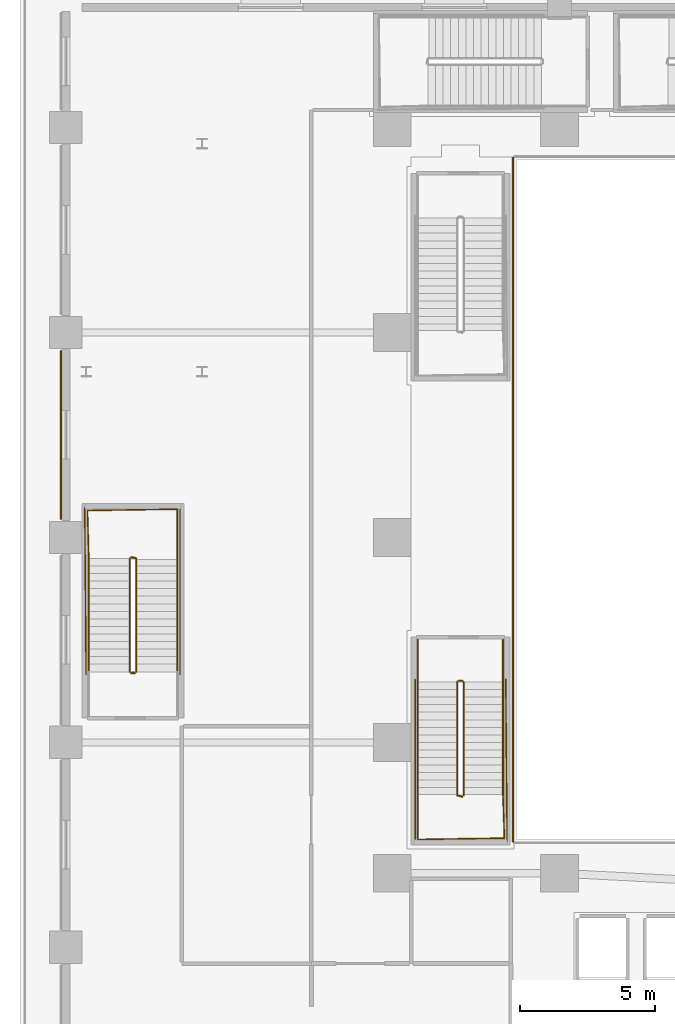
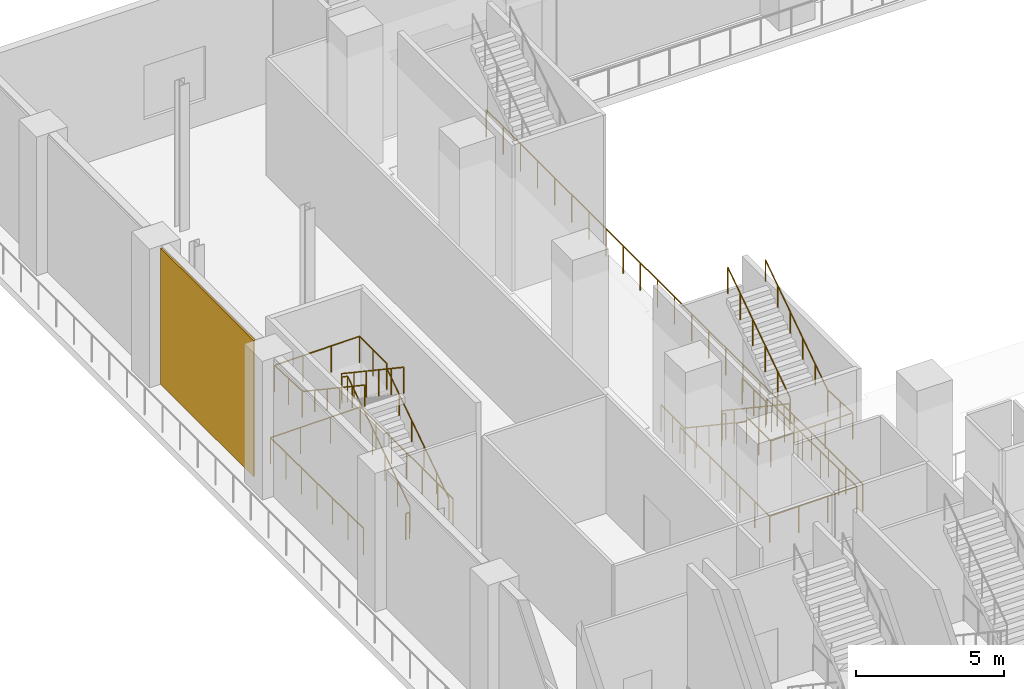
# One storey, part 18 of 29: 17 railings, 1 covering.
"""IFC4 building model written with IfcOpenShell, lengths in metres."""

from ifc_helpers import new_model, si_unit, direction, frame, origin, origin_2d, place, context, subcontext, project, spatial, rectangle, circle, extrude, material, layer, layer_set, type_object, element, save


model = new_model("IFC4")

# Units and contexts
model_context = context("Model", 3, precision=1e-05, world=origin(), true_north=direction((0.0, 1.0)))
body_context = subcontext(model_context, "Body", "Model", "MODEL_VIEW")
ifc_project = project(units=[si_unit("LENGTHUNIT", "METRE"), si_unit("AREAUNIT", "SQUARE_METRE"), si_unit("VOLUMEUNIT", "CUBIC_METRE"), si_unit("PLANEANGLEUNIT", "RADIAN"), si_unit("MASSUNIT", "GRAM", prefix="KILO")], contexts=[model_context])

# Site, building, storey
site_placement = place(None, origin())
site = spatial("IfcSite", under=ifc_project, at=site_placement, CompositionType="ELEMENT")
building_placement = place(site_placement, origin())
building = spatial("IfcBuilding", under=site, at=building_placement, Name="Ndaravel Arena Tower", CompositionType="ELEMENT")
storey_placement = place(building_placement, frame((0.0, 0.0, 12.0)))
storey = spatial("IfcBuildingStorey", under=building, at=storey_placement, Name="L02", CompositionType="ELEMENT", Elevation=12.0)

# Covering
ifc_material_1 = material(Name="Masonry", Category="masonry")
ifc_layer_1 = layer(ifc_material_1, 0.06005859375)
ifc_layer_set_1 = layer_set([ifc_layer_1], Name="Masonry")
covering_type = type_object("IfcCoveringType", Name="COV-STONE-CLAD", PredefinedType="CLADDING", material=ifc_layer_set_1)
covering_placement = place(storey_placement, frame((1.52001953125, 31.60009765625, 0.050048828125), z_axis=(0.0, 0.0, 1.0), x_axis=(1.0, 0.0, 0.0)))
element("IfcCovering", 1, at=covering_placement, inside=storey, type_object=covering_type, Name="L02 Honed Mazeras Ashlar Panel W5", PredefinedType="CLADDING", context=body_context, shape_type="SweptSolid", body=[
    extrude(rectangle(XDim=0.06005859375, YDim=6.260009765625, at=origin_2d()), origin(), (0.0, 0.0, 1.0), 5.60009765625),
])

# Railings
ifc_material_2 = material(Name="Steel S355", Category="steel")
ifc_layer_2 = layer(ifc_material_2, 0.06005859375)
ifc_layer_set_2 = layer_set([ifc_layer_2], Name="Steel S355")
railing_type_1 = type_object("IfcRailingType", Name="RAIL-STAIR-GD1100", PredefinedType="GUARDRAIL", material=ifc_layer_set_2)
railing_1_placement = place(storey_placement, frame((4.31005859375, 22.820068359375, 0.1875)))
element("IfcRailing", 2, at=railing_1_placement, inside=storey, type_object=railing_type_1, Name="L02 ST-A07 stair guard 1", PredefinedType="GUARDRAIL", context=body_context, shape_type="SweptSolid", body=[
    extrude(circle(Radius=0.02392578125, at=origin_2d()), frame((0.0, 0.0, 1.076171875), z_axis=(0.0, 0.830904186295, 0.556415522067), x_axis=(-1.0, 0.0, 0.0)), (0.0, 0.0, 1.0), 5.0546875),
    extrude(circle(Radius=0.02392578125, at=origin_2d()), frame((0.0, 4.199951171875, 3.888671875), z_axis=(-0.966993988697, 0.254799187253, 0.0), x_axis=(-0.254799187253, -0.966993988697, 0.0)), (0.0, 0.0, 1.0), 0.196533203125),
    extrude(circle(Radius=0.02099609375, at=origin_2d()), origin(), (0.0, 0.0, 1.0), 1.052001953125),
    extrude(circle(Radius=0.02099609375, at=origin_2d()), frame((0.0, 0.840087890625, 0.5625)), (0.0, 0.0, 1.0), 1.052001953125),
    extrude(circle(Radius=0.02099609375, at=origin_2d()), frame((0.0, 1.679931640625, 1.125)), (0.0, 0.0, 1.0), 1.052001953125),
    extrude(circle(Radius=0.02099609375, at=origin_2d()), frame((0.0, 2.52001953125, 1.6875)), (0.0, 0.0, 1.0), 1.052001953125),
    extrude(circle(Radius=0.02099609375, at=origin_2d()), frame((0.0, 3.35986328125, 2.25)), (0.0, 0.0, 1.0), 1.052001953125),
    extrude(circle(Radius=0.02099609375, at=origin_2d()), frame((0.0, 4.199951171875, 2.8125)), (0.0, 0.0, 1.0), 1.052001953125),
    extrude(circle(Radius=0.02099609375, at=origin_2d()), frame((-0.18994140625, 4.25, 2.8125)), (0.0, 0.0, 1.0), 1.052001953125),
])
railing_2_placement = place(storey_placement, frame((5.830078125, 27.02001953125, 3.0)))
element("IfcRailing", 3, at=railing_2_placement, inside=storey, type_object=railing_type_1, Name="L02 ST-A07 stair guard 2", PredefinedType="GUARDRAIL", context=body_context, shape_type="SweptSolid", body=[
    extrude(circle(Radius=0.02392578125, at=origin_2d()), frame((0.0, 0.0, 1.076171875), z_axis=(0.0, 1.0, 0.0), x_axis=(-1.0, 0.0, 0.0)), (0.0, 0.0, 1.0), 1.830078125),
    extrude(circle(Radius=0.02392578125, at=origin_2d()), frame((0.0, 1.830078125, 1.076171875), z_axis=(-0.999887078817, -0.015027628384, 0.0), x_axis=(0.015027628384, -0.999887078817, 0.0)), (0.0, 0.0, 1.0), 3.33056640625),
    extrude(circle(Radius=0.02392578125, at=origin_2d()), frame((-3.330078125, 1.780029296875, 1.076171875), z_axis=(0.028105748986, -0.999604955407, 0.0), x_axis=(0.999604955407, 0.028105748986, 0.0)), (0.0, 0.0, 1.0), 1.78076171875),
    extrude(circle(Radius=0.02099609375, at=origin_2d()), origin(), (0.0, 0.0, 1.0), 1.052001953125),
    extrude(circle(Radius=0.02099609375, at=origin_2d()), frame((0.0, 0.9150390625, 0.0)), (0.0, 0.0, 1.0), 1.052001953125),
    extrude(circle(Radius=0.02099609375, at=origin_2d()), frame((0.0, 1.830078125, 0.0)), (0.0, 0.0, 1.0), 1.052001953125),
    extrude(circle(Radius=0.02099609375, at=origin_2d()), frame((-1.110107421875, 1.8134765625, 0.0)), (0.0, 0.0, 1.0), 1.052001953125),
    extrude(circle(Radius=0.02099609375, at=origin_2d()), frame((-2.219970703125, 1.796630859375, 0.0)), (0.0, 0.0, 1.0), 1.052001953125),
    extrude(circle(Radius=0.02099609375, at=origin_2d()), frame((-3.330078125, 1.780029296875, 0.0)), (0.0, 0.0, 1.0), 1.052001953125),
    extrude(circle(Radius=0.02099609375, at=origin_2d()), frame((-3.30517578125, 0.89013671875, 0.0)), (0.0, 0.0, 1.0), 1.052001953125),
    extrude(circle(Radius=0.02099609375, at=origin_2d()), frame((-3.280029296875, 0.0, 0.0)), (0.0, 0.0, 1.0), 1.052001953125),
])
railing_3_placement = place(storey_placement, frame((4.070068359375, 27.02001953125, 3.1875)))
element("IfcRailing", 4, at=railing_3_placement, inside=storey, type_object=railing_type_1, Name="L02 ST-A07 stair guard 3", PredefinedType="GUARDRAIL", context=body_context, shape_type="SweptSolid", body=[
    extrude(circle(Radius=0.02392578125, at=origin_2d()), frame((0.0, 0.0, 1.076171875), z_axis=(0.0, -0.830904186295, 0.556415522067), x_axis=(1.0, 0.0, 0.0)), (0.0, 0.0, 1.0), 5.0546875),
    extrude(circle(Radius=0.02099609375, at=origin_2d()), origin(), (0.0, 0.0, 1.0), 1.052001953125),
    extrude(circle(Radius=0.02099609375, at=origin_2d()), frame((0.0, -0.840087890625, 0.5625)), (0.0, 0.0, 1.0), 1.052001953125),
    extrude(circle(Radius=0.02099609375, at=origin_2d()), frame((0.0, -1.679931640625, 1.125)), (0.0, 0.0, 1.0), 1.052001953125),
    extrude(circle(Radius=0.02099609375, at=origin_2d()), frame((0.0, -2.52001953125, 1.6875)), (0.0, 0.0, 1.0), 1.052001953125),
    extrude(circle(Radius=0.02099609375, at=origin_2d()), frame((0.0, -3.35986328125, 2.25)), (0.0, 0.0, 1.0), 1.052001953125),
    extrude(circle(Radius=0.02099609375, at=origin_2d()), frame((0.0, -4.199951171875, 2.8125)), (0.0, 0.0, 1.0), 1.052001953125),
])
railing_4_placement = place(storey_placement, frame((4.260009765625, 22.77001953125, 0.0)))
element("IfcRailing", 5, at=railing_4_placement, inside=storey, type_object=railing_type_1, Name="L02 ST-A07 stair guard 4", PredefinedType="GUARDRAIL", context=body_context, shape_type="SweptSolid", body=[
    extrude(circle(Radius=0.02392578125, at=origin_2d()), frame((0.0, 0.0, 1.076171875), z_axis=(-1.0, 0.0, 0.0), x_axis=(0.0, -1.0, 0.0)), (0.0, 0.0, 1.0), 0.139892578125),
    extrude(circle(Radius=0.02099609375, at=origin_2d()), origin(), (0.0, 0.0, 1.0), 1.052001953125),
    extrude(circle(Radius=0.02099609375, at=origin_2d()), frame((-0.139892578125, 0.0, 0.0)), (0.0, 0.0, 1.0), 1.052001953125),
])
railing_5_placement = place(storey_placement, frame((5.929931640625, 22.719970703125, 0.0)))
element("IfcRailing", 6, at=railing_5_placement, inside=storey, type_object=railing_type_1, Name="L02 ST-A07 stair guard 7", PredefinedType="GUARDRAIL", context=body_context, shape_type="SweptSolid", body=[
    extrude(circle(Radius=0.02392578125, at=origin_2d()), frame((0.0, 0.0, 1.076171875), z_axis=(0.0, 1.0, 0.0), x_axis=(-1.0, 0.0, 0.0)), (0.0, 0.0, 1.0), 6.22998046875),
    extrude(circle(Radius=0.02392578125, at=origin_2d()), frame((0.0, 6.22998046875, 1.076171875), z_axis=(-0.999899507016, -0.014176595818, 0.0), x_axis=(0.014176595818, -0.999899507016, 0.0)), (0.0, 0.0, 1.0), 3.5302734375),
    extrude(circle(Radius=0.02392578125, at=origin_2d()), frame((-3.530029296875, 6.179931640625, 1.076171875), z_axis=(0.008098339889, -0.999967207908, 0.0), x_axis=(0.999967207908, 0.008098339889, 0.0)), (0.0, 0.0, 1.0), 6.18017578125),
    extrude(circle(Radius=0.02099609375, at=origin_2d()), origin(), (0.0, 0.0, 1.0), 1.052001953125),
    extrude(circle(Radius=0.02099609375, at=origin_2d()), frame((0.0, 1.038330078125, 0.0)), (0.0, 0.0, 1.0), 1.052001953125),
    extrude(circle(Radius=0.02099609375, at=origin_2d()), frame((0.0, 2.07666015625, 0.0)), (0.0, 0.0, 1.0), 1.052001953125),
    extrude(circle(Radius=0.02099609375, at=origin_2d()), frame((0.0, 3.114990234375, 0.0)), (0.0, 0.0, 1.0), 1.052001953125),
    extrude(circle(Radius=0.02099609375, at=origin_2d()), frame((0.0, 4.1533203125, 0.0)), (0.0, 0.0, 1.0), 1.052001953125),
    extrude(circle(Radius=0.02099609375, at=origin_2d()), frame((0.0, 5.191650390625, 0.0)), (0.0, 0.0, 1.0), 1.052001953125),
    extrude(circle(Radius=0.02099609375, at=origin_2d()), frame((0.0, 6.22998046875, 0.0)), (0.0, 0.0, 1.0), 1.052001953125),
    extrude(circle(Radius=0.02099609375, at=origin_2d()), frame((-1.1767578125, 6.21337890625, 0.0)), (0.0, 0.0, 1.0), 1.052001953125),
    extrude(circle(Radius=0.02099609375, at=origin_2d()), frame((-2.353271484375, 6.196533203125, 0.0)), (0.0, 0.0, 1.0), 1.052001953125),
    extrude(circle(Radius=0.02099609375, at=origin_2d()), frame((-3.530029296875, 6.179931640625, 0.0)), (0.0, 0.0, 1.0), 1.052001953125),
    extrude(circle(Radius=0.02099609375, at=origin_2d()), frame((-3.521728515625, 5.14990234375, 0.0)), (0.0, 0.0, 1.0), 1.052001953125),
    extrude(circle(Radius=0.02099609375, at=origin_2d()), frame((-3.513427734375, 4.119873046875, 0.0)), (0.0, 0.0, 1.0), 1.052001953125),
    extrude(circle(Radius=0.02099609375, at=origin_2d()), frame((-3.5048828125, 3.08984375, 0.0)), (0.0, 0.0, 1.0), 1.052001953125),
    extrude(circle(Radius=0.02099609375, at=origin_2d()), frame((-3.49658203125, 2.06005859375, 0.0)), (0.0, 0.0, 1.0), 1.052001953125),
    extrude(circle(Radius=0.02099609375, at=origin_2d()), frame((-3.48828125, 1.030029296875, 0.0)), (0.0, 0.0, 1.0), 1.052001953125),
    extrude(circle(Radius=0.02099609375, at=origin_2d()), frame((-3.47998046875, 0.0, 0.0)), (0.0, 0.0, 1.0), 1.052001953125),
])
railing_6_placement = place(storey_placement, frame((16.2099609375, 22.43994140625, 0.1875)))
element("IfcRailing", 7, at=railing_6_placement, inside=storey, type_object=railing_type_1, Name="L02 ST-VOM-1 stair guard 1", PredefinedType="GUARDRAIL", context=body_context, shape_type="SweptSolid", body=[
    extrude(circle(Radius=0.02392578125, at=origin_2d()), frame((0.0, 0.0, 1.076171875), z_axis=(0.0, -0.830904186295, 0.556415522067), x_axis=(1.0, 0.0, 0.0)), (0.0, 0.0, 1.0), 5.0546875),
    extrude(circle(Radius=0.02392578125, at=origin_2d()), frame((0.0, -4.199951171875, 3.888671875), z_axis=(0.966993988697, -0.254799187253, 0.0), x_axis=(0.254799187253, 0.966993988697, 0.0)), (0.0, 0.0, 1.0), 0.196533203125),
    extrude(circle(Radius=0.02099609375, at=origin_2d()), origin(), (0.0, 0.0, 1.0), 1.052001953125),
    extrude(circle(Radius=0.02099609375, at=origin_2d()), frame((0.0, -0.840087890625, 0.5625)), (0.0, 0.0, 1.0), 1.052001953125),
    extrude(circle(Radius=0.02099609375, at=origin_2d()), frame((0.0, -1.679931640625, 1.125)), (0.0, 0.0, 1.0), 1.052001953125),
    extrude(circle(Radius=0.02099609375, at=origin_2d()), frame((0.0, -2.52001953125, 1.6875)), (0.0, 0.0, 1.0), 1.052001953125),
    extrude(circle(Radius=0.02099609375, at=origin_2d()), frame((0.0, -3.35986328125, 2.25)), (0.0, 0.0, 1.0), 1.052001953125),
    extrude(circle(Radius=0.02099609375, at=origin_2d()), frame((0.0, -4.199951171875, 2.8125)), (0.0, 0.0, 1.0), 1.052001953125),
    extrude(circle(Radius=0.02099609375, at=origin_2d()), frame((0.18994140625, -4.25, 2.8125)), (0.0, 0.0, 1.0), 1.052001953125),
])
railing_7_placement = place(storey_placement, frame((14.75, 18.239990234375, 3.0)))
element("IfcRailing", 8, at=railing_7_placement, inside=storey, type_object=railing_type_1, Name="L02 ST-VOM-1 stair guard 2", PredefinedType="GUARDRAIL", context=body_context, shape_type="SweptSolid", body=[
    extrude(circle(Radius=0.02392578125, at=origin_2d()), frame((0.0, 0.0, 1.076171875), z_axis=(0.0, -1.0, 0.0), x_axis=(1.0, 0.0, 0.0)), (0.0, 0.0, 1.0), 1.639892578125),
    extrude(circle(Radius=0.02392578125, at=origin_2d()), frame((0.0, -1.639892578125, 1.076171875), z_axis=(0.999879653755, 0.01551380053, 0.0), x_axis=(-0.01551380053, 0.999879653755, 0.0)), (0.0, 0.0, 1.0), 3.21044921875),
    extrude(circle(Radius=0.02392578125, at=origin_2d()), frame((3.2099609375, -1.590087890625, 1.076171875), z_axis=(-0.031459930577, 0.999505013878, 0.0), x_axis=(-0.999505013878, -0.031459930577, 0.0)), (0.0, 0.0, 1.0), 1.5908203125),
    extrude(circle(Radius=0.02099609375, at=origin_2d()), origin(), (0.0, 0.0, 1.0), 1.052001953125),
    extrude(circle(Radius=0.02099609375, at=origin_2d()), frame((0.0, -0.81982421875, 0.0)), (0.0, 0.0, 1.0), 1.052001953125),
    extrude(circle(Radius=0.02099609375, at=origin_2d()), frame((0.0, -1.639892578125, 0.0)), (0.0, 0.0, 1.0), 1.052001953125),
    extrude(circle(Radius=0.02099609375, at=origin_2d()), frame((1.070068359375, -1.623291015625, 0.0)), (0.0, 0.0, 1.0), 1.052001953125),
    extrude(circle(Radius=0.02099609375, at=origin_2d()), frame((2.139892578125, -1.606689453125, 0.0)), (0.0, 0.0, 1.0), 1.052001953125),
    extrude(circle(Radius=0.02099609375, at=origin_2d()), frame((3.2099609375, -1.590087890625, 0.0)), (0.0, 0.0, 1.0), 1.052001953125),
    extrude(circle(Radius=0.02099609375, at=origin_2d()), frame((3.18505859375, -0.794921875, 0.0)), (0.0, 0.0, 1.0), 1.052001953125),
    extrude(circle(Radius=0.02099609375, at=origin_2d()), frame((3.159912109375, 0.0, 0.0)), (0.0, 0.0, 1.0), 1.052001953125),
])
railing_8_placement = place(storey_placement, frame((16.449951171875, 18.239990234375, 3.1875)))
element("IfcRailing", 9, at=railing_8_placement, inside=storey, type_object=railing_type_1, Name="L02 ST-VOM-1 stair guard 3", PredefinedType="GUARDRAIL", context=body_context, shape_type="SweptSolid", body=[
    extrude(circle(Radius=0.02392578125, at=origin_2d()), frame((0.0, 0.0, 1.076171875), z_axis=(0.0, 0.830904186295, 0.556415522067), x_axis=(-1.0, 0.0, 0.0)), (0.0, 0.0, 1.0), 5.0546875),
    extrude(circle(Radius=0.02099609375, at=origin_2d()), origin(), (0.0, 0.0, 1.0), 1.052001953125),
    extrude(circle(Radius=0.02099609375, at=origin_2d()), frame((0.0, 0.840087890625, 0.5625)), (0.0, 0.0, 1.0), 1.052001953125),
    extrude(circle(Radius=0.02099609375, at=origin_2d()), frame((0.0, 1.679931640625, 1.125)), (0.0, 0.0, 1.0), 1.052001953125),
    extrude(circle(Radius=0.02099609375, at=origin_2d()), frame((0.0, 2.52001953125, 1.6875)), (0.0, 0.0, 1.0), 1.052001953125),
    extrude(circle(Radius=0.02099609375, at=origin_2d()), frame((0.0, 3.35986328125, 2.25)), (0.0, 0.0, 1.0), 1.052001953125),
    extrude(circle(Radius=0.02099609375, at=origin_2d()), frame((0.0, 4.199951171875, 2.8125)), (0.0, 0.0, 1.0), 1.052001953125),
])
railing_9_placement = place(storey_placement, frame((16.260009765625, 22.489990234375, 0.0)))
element("IfcRailing", 10, at=railing_9_placement, inside=storey, type_object=railing_type_1, Name="L02 ST-VOM-1 stair guard 4", PredefinedType="GUARDRAIL", context=body_context, shape_type="SweptSolid", body=[
    extrude(circle(Radius=0.02392578125, at=origin_2d()), frame((0.0, 0.0, 1.076171875), z_axis=(1.0, 0.0, 0.0), x_axis=(0.0, 1.0, 0.0)), (0.0, 0.0, 1.0), 0.139892578125),
    extrude(circle(Radius=0.02099609375, at=origin_2d()), origin(), (0.0, 0.0, 1.0), 1.052001953125),
    extrude(circle(Radius=0.02099609375, at=origin_2d()), frame((0.139892578125, 0.0, 0.0)), (0.0, 0.0, 1.0), 1.052001953125),
])
for number, where, name in (
    (11, (14.75, 24.0, 0.0), "L02 ST-VOM-1 stair guard 5"),
    (12, (17.909912109375, 24.0, 0.0), "L02 ST-VOM-1 stair guard 6"),
):
    element("IfcRailing", number, at=place(storey_placement, frame(where)), inside=storey, type_object=railing_type_1, Name=name, PredefinedType="GUARDRAIL", context=body_context, shape_type="SweptSolid", body=[
        extrude(circle(Radius=0.02392578125, at=origin_2d()), frame((0.0, 0.0, 1.076171875), z_axis=(0.0, -1.0, 0.0), x_axis=(1.0, 0.0, 0.0)), (0.0, 0.0, 1.0), 1.56005859375),
        extrude(circle(Radius=0.02099609375, at=origin_2d()), origin(), (0.0, 0.0, 1.0), 1.052001953125),
        extrude(circle(Radius=0.02099609375, at=origin_2d()), frame((0.0, -0.780029296875, 0.0)), (0.0, 0.0, 1.0), 1.052001953125),
        extrude(circle(Radius=0.02099609375, at=origin_2d()), frame((0.0, -1.56005859375, 0.0)), (0.0, 0.0, 1.0), 1.052001953125),
    ])
railing_10_placement = place(storey_placement, frame((14.64990234375, 22.5400390625, 0.0)))
element("IfcRailing", 13, at=railing_10_placement, inside=storey, type_object=railing_type_1, Name="L02 ST-VOM-1 stair guard 7", PredefinedType="GUARDRAIL", context=body_context, shape_type="SweptSolid", body=[
    extrude(circle(Radius=0.02392578125, at=origin_2d()), frame((0.0, 0.0, 1.076171875), z_axis=(0.0, -1.0, 0.0), x_axis=(1.0, 0.0, 0.0)), (0.0, 0.0, 1.0), 6.0400390625),
    extrude(circle(Radius=0.02392578125, at=origin_2d()), frame((0.0, -6.0400390625, 1.076171875), z_axis=(0.99989231899, 0.014674822837, 0.0), x_axis=(-0.014674822837, 0.99989231899, 0.0)), (0.0, 0.0, 1.0), 3.41064453125),
    extrude(circle(Radius=0.02392578125, at=origin_2d()), frame((3.41015625, -5.989990234375, 1.076171875), z_axis=(-0.008355118995, 0.999965095384, 0.0), x_axis=(-0.999965095384, -0.008355118995, 0.0)), (0.0, 0.0, 1.0), 5.990234375),
    extrude(circle(Radius=0.02099609375, at=origin_2d()), origin(), (0.0, 0.0, 1.0), 1.052001953125),
    extrude(circle(Radius=0.02099609375, at=origin_2d()), frame((0.0, -1.006591796875, 0.0)), (0.0, 0.0, 1.0), 1.052001953125),
    extrude(circle(Radius=0.02099609375, at=origin_2d()), frame((0.0, -2.013427734375, 0.0)), (0.0, 0.0, 1.0), 1.052001953125),
    extrude(circle(Radius=0.02099609375, at=origin_2d()), frame((0.0, -3.02001953125, 0.0)), (0.0, 0.0, 1.0), 1.052001953125),
    extrude(circle(Radius=0.02099609375, at=origin_2d()), frame((0.0, -4.026611328125, 0.0)), (0.0, 0.0, 1.0), 1.052001953125),
    extrude(circle(Radius=0.02099609375, at=origin_2d()), frame((0.0, -5.033447265625, 0.0)), (0.0, 0.0, 1.0), 1.052001953125),
    extrude(circle(Radius=0.02099609375, at=origin_2d()), frame((0.0, -6.0400390625, 0.0)), (0.0, 0.0, 1.0), 1.052001953125),
    extrude(circle(Radius=0.02099609375, at=origin_2d()), frame((1.13671875, -6.0234375, 0.0)), (0.0, 0.0, 1.0), 1.052001953125),
    extrude(circle(Radius=0.02099609375, at=origin_2d()), frame((2.2734375, -6.006591796875, 0.0)), (0.0, 0.0, 1.0), 1.052001953125),
    extrude(circle(Radius=0.02099609375, at=origin_2d()), frame((3.41015625, -5.989990234375, 0.0)), (0.0, 0.0, 1.0), 1.052001953125),
    extrude(circle(Radius=0.02099609375, at=origin_2d()), frame((3.400146484375, -4.7919921875, 0.0)), (0.0, 0.0, 1.0), 1.052001953125),
    extrude(circle(Radius=0.02099609375, at=origin_2d()), frame((3.39013671875, -3.593994140625, 0.0)), (0.0, 0.0, 1.0), 1.052001953125),
    extrude(circle(Radius=0.02099609375, at=origin_2d()), frame((3.380126953125, -2.39599609375, 0.0)), (0.0, 0.0, 1.0), 1.052001953125),
    extrude(circle(Radius=0.02099609375, at=origin_2d()), frame((3.3701171875, -1.197998046875, 0.0)), (0.0, 0.0, 1.0), 1.052001953125),
    extrude(circle(Radius=0.02099609375, at=origin_2d()), frame((3.360107421875, 0.0, 0.0)), (0.0, 0.0, 1.0), 1.052001953125),
])
ifc_material_3 = material(Name="Steel S355", Category="steel")
ifc_layer_3 = layer(ifc_material_3, 0.050048828125)
ifc_layer_set_3 = layer_set([ifc_layer_3], Name="Steel S355")
railing_type_2 = type_object("IfcRailingType", Name="RAIL-STAIR-HR920", PredefinedType="HANDRAIL", material=ifc_layer_set_3)
railing_11_placement = place(storey_placement, frame((5.830078125, 22.820068359375, 0.1875)))
element("IfcRailing", 14, at=railing_11_placement, inside=storey, type_object=railing_type_2, Name="L02 ST-A07 stair handrail 1", PredefinedType="HANDRAIL", context=body_context, shape_type="SweptSolid", body=[
    extrude(circle(Radius=0.02392578125, at=origin_2d()), frame((0.0, 0.0, 0.8759765625), z_axis=(0.0, 0.830904186295, 0.556415522067), x_axis=(-1.0, 0.0, 0.0)), (0.0, 0.0, 1.0), 5.0546875),
    extrude(circle(Radius=0.02099609375, at=origin_2d()), origin(), (0.0, 0.0, 1.0), 0.851806640625),
    extrude(circle(Radius=0.02099609375, at=origin_2d()), frame((0.0, 0.840087890625, 0.5625)), (0.0, 0.0, 1.0), 0.851806640625),
    extrude(circle(Radius=0.02099609375, at=origin_2d()), frame((0.0, 1.679931640625, 1.125)), (0.0, 0.0, 1.0), 0.851806640625),
    extrude(circle(Radius=0.02099609375, at=origin_2d()), frame((0.0, 2.52001953125, 1.6875)), (0.0, 0.0, 1.0), 0.851806640625),
    extrude(circle(Radius=0.02099609375, at=origin_2d()), frame((0.0, 3.35986328125, 2.25)), (0.0, 0.0, 1.0), 0.851806640625),
    extrude(circle(Radius=0.02099609375, at=origin_2d()), frame((0.0, 4.199951171875, 2.8125)), (0.0, 0.0, 1.0), 0.851806640625),
])
for number, where, name in (
    (15, (2.550048828125, 27.02001953125, 3.1875), "L02 ST-A07 stair handrail 2"),
    (16, (14.75, 22.43994140625, 0.1875), "L02 ST-VOM-1 stair handrail 1"),
):
    element("IfcRailing", number, at=place(storey_placement, frame(where)), inside=storey, type_object=railing_type_2, Name=name, PredefinedType="HANDRAIL", context=body_context, shape_type="SweptSolid", body=[
        extrude(circle(Radius=0.02392578125, at=origin_2d()), frame((0.0, 0.0, 0.8759765625), z_axis=(0.0, -0.830904186295, 0.556415522067), x_axis=(1.0, 0.0, 0.0)), (0.0, 0.0, 1.0), 5.0546875),
        extrude(circle(Radius=0.02099609375, at=origin_2d()), origin(), (0.0, 0.0, 1.0), 0.851806640625),
        extrude(circle(Radius=0.02099609375, at=origin_2d()), frame((0.0, -0.840087890625, 0.5625)), (0.0, 0.0, 1.0), 0.851806640625),
        extrude(circle(Radius=0.02099609375, at=origin_2d()), frame((0.0, -1.679931640625, 1.125)), (0.0, 0.0, 1.0), 0.851806640625),
        extrude(circle(Radius=0.02099609375, at=origin_2d()), frame((0.0, -2.52001953125, 1.6875)), (0.0, 0.0, 1.0), 0.851806640625),
        extrude(circle(Radius=0.02099609375, at=origin_2d()), frame((0.0, -3.35986328125, 2.25)), (0.0, 0.0, 1.0), 0.851806640625),
        extrude(circle(Radius=0.02099609375, at=origin_2d()), frame((0.0, -4.199951171875, 2.8125)), (0.0, 0.0, 1.0), 0.851806640625),
    ])
railing_12_placement = place(storey_placement, frame((17.909912109375, 18.239990234375, 3.1875)))
element("IfcRailing", 17, at=railing_12_placement, inside=storey, type_object=railing_type_2, Name="L02 ST-VOM-1 stair handrail 2", PredefinedType="HANDRAIL", context=body_context, shape_type="SweptSolid", body=[
    extrude(circle(Radius=0.02392578125, at=origin_2d()), frame((0.0, 0.0, 0.8759765625), z_axis=(0.0, 0.830904186295, 0.556415522067), x_axis=(-1.0, 0.0, 0.0)), (0.0, 0.0, 1.0), 5.0546875),
    extrude(circle(Radius=0.02099609375, at=origin_2d()), origin(), (0.0, 0.0, 1.0), 0.851806640625),
    extrude(circle(Radius=0.02099609375, at=origin_2d()), frame((0.0, 0.840087890625, 0.5625)), (0.0, 0.0, 1.0), 0.851806640625),
    extrude(circle(Radius=0.02099609375, at=origin_2d()), frame((0.0, 1.679931640625, 1.125)), (0.0, 0.0, 1.0), 0.851806640625),
    extrude(circle(Radius=0.02099609375, at=origin_2d()), frame((0.0, 2.52001953125, 1.6875)), (0.0, 0.0, 1.0), 0.851806640625),
    extrude(circle(Radius=0.02099609375, at=origin_2d()), frame((0.0, 3.35986328125, 2.25)), (0.0, 0.0, 1.0), 0.851806640625),
    extrude(circle(Radius=0.02099609375, at=origin_2d()), frame((0.0, 4.199951171875, 2.8125)), (0.0, 0.0, 1.0), 0.851806640625),
])
ifc_material_4 = material(Name="Glazing", Category="glass")
ifc_layer_4 = layer(ifc_material_4, 0.070068359375)
ifc_layer_set_4 = layer_set([ifc_layer_4], Name="Glazing")
railing_type_3 = type_object("IfcRailingType", Name="RAIL-TERRACE-1150", PredefinedType="BALUSTRADE", material=ifc_layer_set_4)
railing_13_placement = place(storey_placement, frame((18.280029296875, 41.8798828125, 0.0)))
element("IfcRailing", 18, at=railing_13_placement, inside=storey, type_object=railing_type_3, Name="L02 Arena Bowl Concourse W Balustrade", PredefinedType="BALUSTRADE", context=body_context, shape_type="SweptSolid", body=[
    extrude(circle(Radius=0.02392578125, at=origin_2d()), frame((0.0, 0.0, 1.1259765625), z_axis=(0.0, -1.0, 0.0), x_axis=(1.0, 0.0, 0.0)), (0.0, 0.0, 1.0), 25.35986328125),
    extrude(circle(Radius=0.02099609375, at=origin_2d()), origin(), (0.0, 0.0, 1.0), 1.101806640625),
    extrude(circle(Radius=0.02099609375, at=origin_2d()), frame((0.0, -1.15283203125, 0.0)), (0.0, 0.0, 1.0), 1.101806640625),
    extrude(circle(Radius=0.02099609375, at=origin_2d()), frame((0.0, -2.305419921875, 0.0)), (0.0, 0.0, 1.0), 1.101806640625),
    extrude(circle(Radius=0.02099609375, at=origin_2d()), frame((0.0, -3.458251953125, 0.0)), (0.0, 0.0, 1.0), 1.101806640625),
    extrude(circle(Radius=0.02099609375, at=origin_2d()), frame((0.0, -4.61083984375, 0.0)), (0.0, 0.0, 1.0), 1.101806640625),
    extrude(circle(Radius=0.02099609375, at=origin_2d()), frame((0.0, -5.763671875, 0.0)), (0.0, 0.0, 1.0), 1.101806640625),
    extrude(circle(Radius=0.02099609375, at=origin_2d()), frame((0.0, -6.916259765625, 0.0)), (0.0, 0.0, 1.0), 1.101806640625),
    extrude(circle(Radius=0.02099609375, at=origin_2d()), frame((0.0, -8.069091796875, 0.0)), (0.0, 0.0, 1.0), 1.101806640625),
    extrude(circle(Radius=0.02099609375, at=origin_2d()), frame((0.0, -9.2216796875, 0.0)), (0.0, 0.0, 1.0), 1.101806640625),
    extrude(circle(Radius=0.02099609375, at=origin_2d()), frame((0.0, -10.37451171875, 0.0)), (0.0, 0.0, 1.0), 1.101806640625),
    extrude(circle(Radius=0.02099609375, at=origin_2d()), frame((0.0, -11.527099609375, 0.0)), (0.0, 0.0, 1.0), 1.101806640625),
    extrude(circle(Radius=0.02099609375, at=origin_2d()), frame((0.0, -12.679931640625, 0.0)), (0.0, 0.0, 1.0), 1.101806640625),
    extrude(circle(Radius=0.02099609375, at=origin_2d()), frame((0.0, -13.832763671875, 0.0)), (0.0, 0.0, 1.0), 1.101806640625),
    extrude(circle(Radius=0.02099609375, at=origin_2d()), frame((0.0, -14.9853515625, 0.0)), (0.0, 0.0, 1.0), 1.101806640625),
    extrude(circle(Radius=0.02099609375, at=origin_2d()), frame((0.0, -16.13818359375, 0.0)), (0.0, 0.0, 1.0), 1.101806640625),
    extrude(circle(Radius=0.02099609375, at=origin_2d()), frame((0.0, -17.290771484375, 0.0)), (0.0, 0.0, 1.0), 1.101806640625),
    extrude(circle(Radius=0.02099609375, at=origin_2d()), frame((0.0, -18.443603515625, 0.0)), (0.0, 0.0, 1.0), 1.101806640625),
    extrude(circle(Radius=0.02099609375, at=origin_2d()), frame((0.0, -19.59619140625, 0.0)), (0.0, 0.0, 1.0), 1.101806640625),
    extrude(circle(Radius=0.02099609375, at=origin_2d()), frame((0.0, -20.7490234375, 0.0)), (0.0, 0.0, 1.0), 1.101806640625),
    extrude(circle(Radius=0.02099609375, at=origin_2d()), frame((0.0, -21.901611328125, 0.0)), (0.0, 0.0, 1.0), 1.101806640625),
    extrude(circle(Radius=0.02099609375, at=origin_2d()), frame((0.0, -23.054443359375, 0.0)), (0.0, 0.0, 1.0), 1.101806640625),
    extrude(circle(Radius=0.02099609375, at=origin_2d()), frame((0.0, -24.20703125, 0.0)), (0.0, 0.0, 1.0), 1.101806640625),
    extrude(circle(Radius=0.02099609375, at=origin_2d()), frame((0.0, -25.35986328125, 0.0)), (0.0, 0.0, 1.0), 1.101806640625),
])

save(model, "model.ifc")
